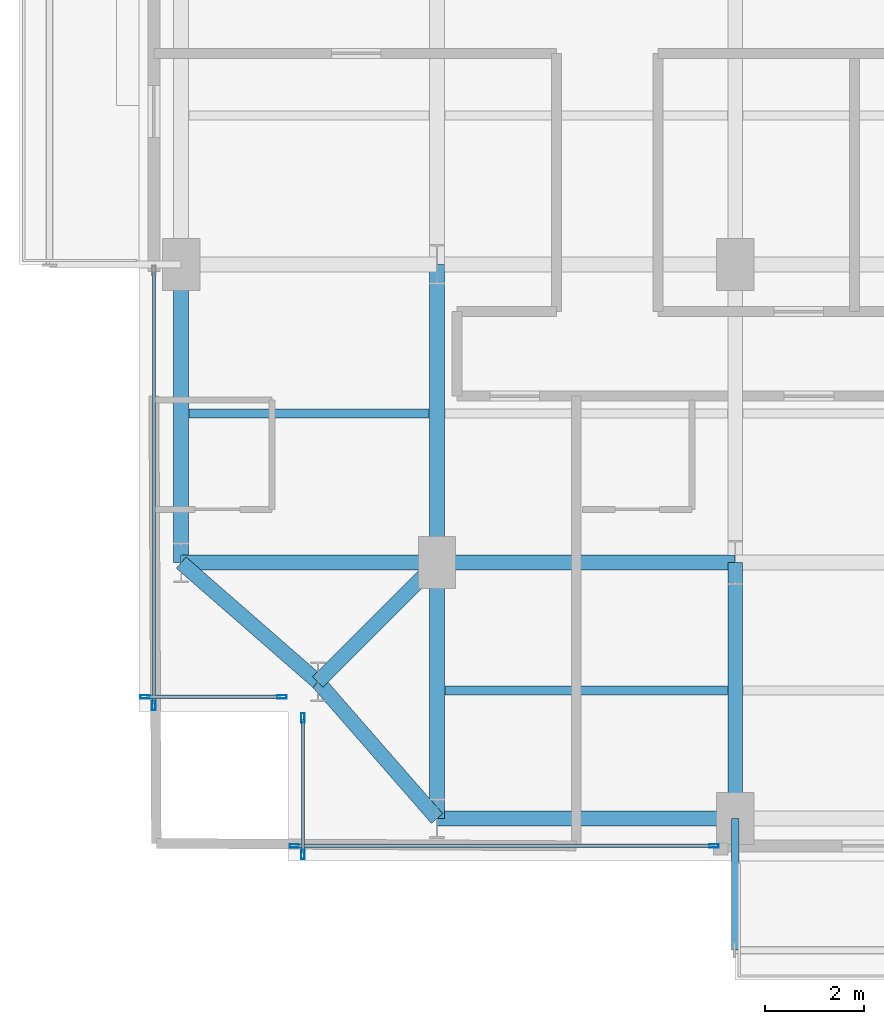
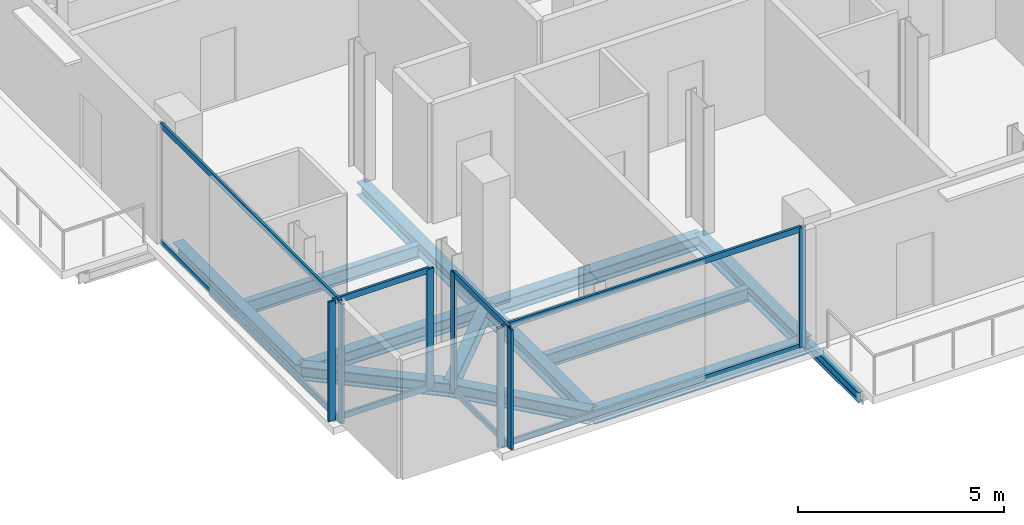
# One storey, part 2 of 22: 15 members, 13 beams, 4 elements without a shape of their own.
"""IFC4 building model written with IfcOpenShell, lengths in metres."""

import ifcopenshell
import ifcopenshell.guid

model = None  # the IFC model being written
_history = None  # IfcOwnerHistory: only IFC2X3 demands one
_inside = {}  # id of a spatial element -> (the spatial element, [elements in it])
_under = {}  # id of a project, library or spatial element -> (it, [spatial elements below it])
_declared = {}  # id of a project -> (the project, [libraries it declares])
_typed = {}  # id of a type object -> (the type object, [elements of that type])
_made_of = {}  # id of a material, layer set ... -> (it, [elements and type objects made of it])


def new_model(schema):
    """Start an empty IFC model of exactly this schema.

    Asked for "IFC4X3", IfcOpenShell would pick the latest addendum, in which some entities
    have other attributes; the version numbers below select the first issue.
    IFC2X3 requires an IfcOwnerHistory on every rooted entity: one is made here for all.
    """
    global model, _history
    if schema == "IFC4X3":
        model = ifcopenshell.file(schema_version=(4, 3, 0, 0))
    else:
        model = ifcopenshell.file(schema=schema)
    _inside.clear()
    _under.clear()
    _declared.clear()
    _typed.clear()
    _made_of.clear()
    _history = None
    if model.schema == "IFC2X3":
        org = make("IfcOrganization", Name="unknown")
        user = make(
            "IfcPersonAndOrganization",
            ThePerson=make("IfcPerson", FamilyName="unknown"),
            TheOrganization=org,
        )
        app = make(
            "IfcApplication",
            ApplicationDeveloper=org,
            Version="unknown",
            ApplicationFullName="unknown",
            ApplicationIdentifier="unknown",
        )
        _history = make(
            "IfcOwnerHistory",
            OwningUser=user,
            OwningApplication=app,
            ChangeAction="ADDED",
            CreationDate=0,
        )
    return model


def make(cls, **values):
    """One entity of the class cls with the attributes given. An attribute that is None is left unset."""
    return model.create_entity(
        cls, **{name: value for name, value in values.items() if value is not None}
    )


def rooted(cls, **values):
    """An entity with a GlobalId (a new one), such as an element, a storey or a relation."""
    return make(cls, GlobalId=ifcopenshell.guid.new(), OwnerHistory=_history, **values)


def si_unit(unit_type, name, prefix=None):
    """IfcSIUnit, for example si_unit("LENGTHUNIT", "METRE", prefix="MILLI")."""
    return make("IfcSIUnit", UnitType=unit_type, Prefix=prefix, Name=name)


def assignment(units):
    """IfcUnitAssignment: the units of a project."""
    return None if units is None else make("IfcUnitAssignment", Units=units)


def point(xyz):
    """IfcCartesianPoint."""
    return None if xyz is None else make("IfcCartesianPoint", Coordinates=xyz)


def direction(xyz):
    """IfcDirection."""
    return None if xyz is None else make("IfcDirection", DirectionRatios=xyz)


def frame(location, z_axis=None, x_axis=None):
    """IfcAxis2Placement3D, a coordinate frame: its origin and axes. An axis left out is left unset."""
    return make(
        "IfcAxis2Placement3D",
        Location=point(location),
        Axis=direction(z_axis),
        RefDirection=direction(x_axis),
    )


def frame_2d(location, x_axis=None):
    """IfcAxis2Placement2D, a coordinate frame in the plane: its origin and x axis."""
    return make(
        "IfcAxis2Placement2D", Location=point(location), RefDirection=direction(x_axis)
    )


def origin():
    """The frame at (0, 0, 0) with its axes left unset."""
    return frame((0.0, 0.0, 0.0))


def origin_2d():
    """The frame at (0, 0) in the plane with its x axis left unset."""
    return frame_2d((0.0, 0.0))


def place(relative_to, where):
    """IfcLocalPlacement: puts the frame where relative to a parent placement (None: the world)."""
    return make(
        "IfcLocalPlacement", PlacementRelTo=relative_to, RelativePlacement=where
    )


def context(
    kind, dimensions, precision=None, world=None, true_north=None, identifier=None
):
    """IfcGeometricRepresentationContext, for example the 3D "Model" context."""
    return make(
        "IfcGeometricRepresentationContext",
        ContextIdentifier=identifier,
        ContextType=kind,
        CoordinateSpaceDimension=dimensions,
        Precision=precision,
        WorldCoordinateSystem=world,
        TrueNorth=true_north,
    )


def subcontext(parent, identifier, kind, view, scale=None):
    """IfcGeometricRepresentationSubContext, for example "Body" below "Model"."""
    return make(
        "IfcGeometricRepresentationSubContext",
        ContextIdentifier=identifier,
        ContextType=kind,
        ParentContext=parent,
        TargetScale=scale,
        TargetView=view,
    )


def project(units=None, contexts=None):
    """IfcProject with its units and contexts."""
    return rooted(
        "IfcProject",
        Name="project",
        RepresentationContexts=contexts,
        UnitsInContext=assignment(units),
    )


def spatial(cls, under=None, at=None, **own):
    """A site, building, storey or space (cls), placed at a placement, below another one or the project."""
    s = rooted(cls, ObjectPlacement=at, **own)
    if under is not None:
        _under.setdefault(under.id(), (under, []))[1].append(s)
    return s


def profile(cls, at=None, kind="AREA", **sizes):
    """A parametric profile (cls). Its sizes go by their IFC names, for example OverallWidth=200.0."""
    return make(cls, ProfileType=kind, Position=at, **sizes)


def hollow_rectangle(**sizes):
    """IfcRectangleHollowProfileDef."""
    return profile("IfcRectangleHollowProfileDef", **sizes)


def i_section(**sizes):
    """IfcIShapeProfileDef."""
    return profile("IfcIShapeProfileDef", **sizes)


def extrude(swept, where, along, depth):
    """IfcExtrudedAreaSolid: the profile swept, set in the frame where, extruded along a direction by depth."""
    return make(
        "IfcExtrudedAreaSolid",
        SweptArea=swept,
        Position=where,
        ExtrudedDirection=direction(along),
        Depth=depth,
    )


def shape(context_of_items, identifier, shape_type, items):
    """IfcShapeRepresentation: the items that make up one representation, for example the "Body"."""
    return make(
        "IfcShapeRepresentation",
        ContextOfItems=context_of_items,
        RepresentationIdentifier=identifier,
        RepresentationType=shape_type,
        Items=items,
    )


def material(Name=None, Category=None):
    """IfcMaterial."""
    return make("IfcMaterial", Name=Name, Category=Category)


def layer(
    of_material, thickness, ventilated=None, Name=None, Category=None, Priority=None
):
    """IfcMaterialLayer: one layer of a wall or slab, of a material (None: an air gap)."""
    return make(
        "IfcMaterialLayer",
        Material=of_material,
        LayerThickness=thickness,
        IsVentilated=ventilated,
        Name=Name,
        Category=Category,
        Priority=Priority,
    )


def layer_set(layers, Name=None):
    """IfcMaterialLayerSet."""
    return make("IfcMaterialLayerSet", MaterialLayers=layers, LayerSetName=Name)


def material_profile(
    of_material, cross_section, Name=None, Category=None, Priority=None
):
    """IfcMaterialProfile: a cross section and its material."""
    return make(
        "IfcMaterialProfile",
        Name=Name,
        Material=of_material,
        Profile=cross_section,
        Priority=Priority,
        Category=Category,
    )


def profile_set(profiles, Name=None, composite=None):
    """IfcMaterialProfileSet."""
    return make(
        "IfcMaterialProfileSet",
        Name=Name,
        MaterialProfiles=profiles,
        CompositeProfile=composite,
    )


def made_of(thing, what):
    """Note that an element or type object is made of a material, layer set ...; save() writes the relation."""
    if what is not None:
        _made_of.setdefault(what.id(), (what, []))[1].append(thing)
    return thing


def type_object(cls, material=None, **own):
    """A type object (cls), such as IfcWallType, which elements share."""
    return made_of(rooted(cls, **own), material)


def element(
    cls,
    number,
    at=None,
    inside=None,
    cuts=None,
    type_object=None,
    material=None,
    context=None,
    identifier="Body",
    shape_type=None,
    held_by="IfcProductDefinitionShape",
    body=None,
    shapes=None,
    **own,
):
    """One element of the class cls, such as IfcWall. Its Tag is "e" and its number.

    at: its placement. inside: the storey or other place that contains it. cuts: it is an
    opening in that element (IfcRelVoidsElement). A single representation is given by context,
    identifier, shape_type and body (its items); several are given by shapes. held_by: the class
    of the entity that holds the representations. save() writes the other relations.
    """
    e = rooted(cls, Tag="e%d" % number, ObjectPlacement=at, **own)
    if body is not None:
        shapes = [shape(context, identifier, shape_type, body)]
    if shapes is not None:
        e.Representation = make(held_by, Representations=shapes)
    if inside is not None:
        _inside.setdefault(inside.id(), (inside, []))[1].append(e)
    if cuts is not None:
        rooted(
            "IfcRelVoidsElement", RelatingBuildingElement=cuts, RelatedOpeningElement=e
        )
    if type_object is not None:
        _typed.setdefault(type_object.id(), (type_object, []))[1].append(e)
    return made_of(e, material)


def aggregate(whole, parts):
    """IfcRelAggregates: a whole, such as a stair, and the parts it consists of."""
    return rooted("IfcRelAggregates", RelatingObject=whole, RelatedObjects=parts)


def save(model, path):
    """Write the relations noted so far, then the file.

    IfcRelAggregates (storeys below a building ...), IfcRelContainedInSpatialStructure (elements
    in a storey), IfcRelDefinesByType, IfcRelAssociatesMaterial and IfcRelDeclares: one each for
    every whole, place, type object, material and project.
    """
    for whole, parts in _under.values():
        aggregate(whole, parts)
    for where, things in _inside.values():
        rooted(
            "IfcRelContainedInSpatialStructure",
            RelatedElements=things,
            RelatingStructure=where,
        )
    for kind, things in _typed.values():
        rooted("IfcRelDefinesByType", RelatedObjects=things, RelatingType=kind)
    for what, things in _made_of.values():
        rooted("IfcRelAssociatesMaterial", RelatedObjects=things, RelatingMaterial=what)
    for by, libraries in _declared.values():
        rooted("IfcRelDeclares", RelatingContext=by, RelatedDefinitions=libraries)
    model.write(path)


model = new_model("IFC4")

# Units and contexts
model_context = context("Model", 3, precision=1e-05, world=origin(), true_north=direction((0.0, 1.0)))
body_context = subcontext(model_context, "Body", "Model", "MODEL_VIEW")
ifc_project = project(units=[si_unit("LENGTHUNIT", "METRE"), si_unit("AREAUNIT", "SQUARE_METRE"), si_unit("VOLUMEUNIT", "CUBIC_METRE"), si_unit("PLANEANGLEUNIT", "RADIAN"), si_unit("MASSUNIT", "GRAM", prefix="KILO"), si_unit("THERMODYNAMICTEMPERATUREUNIT", "KELVIN"), si_unit("POWERUNIT", "WATT")], contexts=[model_context])

# Site, building, storey
site_placement = place(None, origin())
site = spatial("IfcSite", under=ifc_project, at=site_placement, CompositionType="ELEMENT")
building_placement = place(site_placement, origin())
building = spatial("IfcBuilding", under=site, at=building_placement, Name="Svarakhadi Broadcast Tower", CompositionType="ELEMENT")
storey_placement = place(building_placement, frame((0.0, 0.0, 176.699951171875)))
storey = spatial("IfcBuildingStorey", under=building, at=storey_placement, Name="L43", CompositionType="ELEMENT", Elevation=176.699951171875)

# Beams
ifc_material_1 = material(Name="Steel S355J2 (IS 2062 E350C)", Category="steel")
ifc_material_profile_1 = material_profile(ifc_material_1, i_section(OverallWidth=0.179931640625, OverallDepth=0.39990234375, WebThickness=0.008544921875, FlangeThickness=0.013427734375, FilletRadius=0.02099609375, at=origin_2d()), Name="NPB 400x180x66")
ifc_profile_set_1 = profile_set([ifc_material_profile_1], Name="Steel S355J2 (IS 2062 E350C)")
beam_type_1 = type_object("IfcBeamType", Name="Beam_NPB400", PredefinedType="BEAM", material=ifc_profile_set_1)
beam_1_placement = place(storey_placement, frame((1.010009765625, 9.0, -0.409912109375), z_axis=(1.0, 0.0, 0.0), x_axis=(0.0, 1.0, 0.0)))
element("IfcBeam", 1, at=beam_1_placement, inside=storey, type_object=beam_type_1, Name="L43 Secondary Composite Beam SB001", PredefinedType="BEAM", context=body_context, shape_type="SweptSolid", body=[
    extrude(i_section(OverallWidth=0.179931640625, OverallDepth=0.39990234375, WebThickness=0.008544921875, FlangeThickness=0.013427734375, FilletRadius=0.02099609375, at=origin_2d()), origin(), (0.0, 0.0, 1.0), 4.830078125),
])
beam_2_placement = place(storey_placement, frame((6.159912109375, 3.425048828125, -0.409912109375), z_axis=(1.0, 0.0, 0.0), x_axis=(0.0, 1.0, 0.0)))
element("IfcBeam", 2, at=beam_2_placement, inside=storey, type_object=beam_type_1, Name="L43 Secondary Composite Beam SB005", PredefinedType="BEAM", context=body_context, shape_type="SweptSolid", body=[
    extrude(i_section(OverallWidth=0.179931640625, OverallDepth=0.39990234375, WebThickness=0.008544921875, FlangeThickness=0.013427734375, FilletRadius=0.02099609375, at=origin_2d()), origin(), (0.0, 0.0, 1.0), 5.68017578125),
])

# Curtain wall, members
ifc_material_2 = material(Name="Anodised Bronze Aluminium AA 6063-T6", Category="aluminium")
ifc_layer = layer(ifc_material_2, 0.18994140625)
ifc_layer_set = layer_set([ifc_layer], Name="Anodised Bronze Aluminium AA 6063-T6")
curtain_wall_type = type_object("IfcCurtainWallType", Name="CW_Sys_04", PredefinedType="NOTDEFINED", material=ifc_layer_set)
curtain_wall_1_placement = place(storey_placement, origin())
curtain_wall_1 = element("IfcCurtainWall", 3, at=curtain_wall_1_placement, inside=storey, type_object=curtain_wall_type, Name="L43 Unitised Facade Curtain Wall 01", PredefinedType="NOTDEFINED")
ifc_material_profile_2 = material_profile(ifc_material_2, hollow_rectangle(XDim=0.070068359375, YDim=0.18994140625, WallThickness=0.005615234375, at=origin_2d()), Name="ALU MULLION 190x70x6")
ifc_profile_set_2 = profile_set([ifc_material_profile_2], Name="Anodised Bronze Aluminium AA 6063-T6")
member_type_1 = type_object("IfcMemberType", Name="CW_Sys_04_Mul", PredefinedType="MULLION", material=ifc_profile_set_2)
member_1_placement = place(storey_placement, frame((2.875, 3.300048828125, 0.0), z_axis=(0.0, 0.0, 1.0), x_axis=(0.0, -1.0, 0.0)))
member_1 = element("IfcMember", 4, at=member_1_placement, type_object=member_type_1, Name="CW-04 mullion 1", PredefinedType="MULLION", context=body_context, shape_type="SweptSolid", body=[
    extrude(hollow_rectangle(XDim=0.070068359375, YDim=0.18994140625, WallThickness=0.005615234375, at=origin_2d()), origin(), (0.0, 0.0, 1.0), 3.5400390625),
])
member_2_placement = place(storey_placement, frame((0.125, 3.300048828125, 0.0), z_axis=(0.0, 0.0, 1.0), x_axis=(0.0, -1.0, 0.0)))
member_2 = element("IfcMember", 5, at=member_2_placement, type_object=member_type_1, Name="CW-04 mullion 2", PredefinedType="MULLION", context=body_context, shape_type="SweptSolid", body=[
    extrude(hollow_rectangle(XDim=0.070068359375, YDim=0.18994140625, WallThickness=0.005615234375, at=origin_2d()), origin(), (0.0, 0.0, 1.0), 3.5400390625),
])

# Curtain wall, member
curtain_wall_2_placement = place(storey_placement, origin())
curtain_wall_2 = element("IfcCurtainWall", 6, at=curtain_wall_2_placement, inside=storey, type_object=curtain_wall_type, Name="L43 West Curtain Wall 02", PredefinedType="NOTDEFINED")
member_3_placement = place(storey_placement, frame((0.300048828125, 3.125, 0.0), z_axis=(0.0, 0.0, 1.0), x_axis=(-1.0, 0.0, 0.0)))
member_3 = element("IfcMember", 7, at=member_3_placement, type_object=member_type_1, Name="CW-04 mullion 1", PredefinedType="MULLION", context=body_context, shape_type="SweptSolid", body=[
    extrude(hollow_rectangle(XDim=0.070068359375, YDim=0.18994140625, WallThickness=0.005615234375, at=origin_2d()), origin(), (0.0, 0.0, 1.0), 3.5400390625),
])

# Curtain wall, members
curtain_wall_3_placement = place(storey_placement, origin())
curtain_wall_3 = element("IfcCurtainWall", 8, at=curtain_wall_3_placement, inside=storey, type_object=curtain_wall_type, Name="L43 South Curtain Wall 17", PredefinedType="NOTDEFINED")
member_4_placement = place(storey_placement, frame((11.570068359375, 0.300048828125, 0.0), z_axis=(0.0, 0.0, 1.0), x_axis=(0.0, -1.0, 0.0)))
member_4 = element("IfcMember", 9, at=member_4_placement, type_object=member_type_1, Name="CW-04 mullion 1", PredefinedType="MULLION", context=body_context, shape_type="SweptSolid", body=[
    extrude(hollow_rectangle(XDim=0.070068359375, YDim=0.18994140625, WallThickness=0.005615234375, at=origin_2d()), origin(), (0.0, 0.0, 1.0), 3.5400390625),
])
member_5_placement = place(storey_placement, frame((3.125, 0.300048828125, 0.0), z_axis=(0.0, 0.0, 1.0), x_axis=(0.0, -1.0, 0.0)))
member_5 = element("IfcMember", 10, at=member_5_placement, type_object=member_type_1, Name="CW-04 mullion 2", PredefinedType="MULLION", context=body_context, shape_type="SweptSolid", body=[
    extrude(hollow_rectangle(XDim=0.070068359375, YDim=0.18994140625, WallThickness=0.005615234375, at=origin_2d()), origin(), (0.0, 0.0, 1.0), 3.5400390625),
])

curtain_wall_4_placement = place(storey_placement, origin())
curtain_wall_4 = element("IfcCurtainWall", 11, at=curtain_wall_4_placement, inside=storey, type_object=curtain_wall_type, Name="L43 Unitised Facade Curtain Wall 18", PredefinedType="NOTDEFINED")
member_6_placement = place(storey_placement, frame((3.300048828125, 0.125, 0.0), z_axis=(0.0, 0.0, 1.0), x_axis=(-1.0, 0.0, 0.0)))
member_6 = element("IfcMember", 12, at=member_6_placement, type_object=member_type_1, Name="CW-04 mullion 1", PredefinedType="MULLION", context=body_context, shape_type="SweptSolid", body=[
    extrude(hollow_rectangle(XDim=0.070068359375, YDim=0.18994140625, WallThickness=0.005615234375, at=origin_2d()), origin(), (0.0, 0.0, 1.0), 3.5400390625),
])
member_7_placement = place(storey_placement, frame((3.300048828125, 2.875, 0.0), z_axis=(0.0, 0.0, 1.0), x_axis=(-1.0, 0.0, 0.0)))
member_7 = element("IfcMember", 13, at=member_7_placement, type_object=member_type_1, Name="CW-04 mullion 2", PredefinedType="MULLION", context=body_context, shape_type="SweptSolid", body=[
    extrude(hollow_rectangle(XDim=0.070068359375, YDim=0.18994140625, WallThickness=0.005615234375, at=origin_2d()), origin(), (0.0, 0.0, 1.0), 3.5400390625),
])

# Member
ifc_material_profile_3 = material_profile(ifc_material_2, hollow_rectangle(XDim=0.06494140625, YDim=0.175048828125, WallThickness=0.0048828125, at=origin_2d()), Name="ALU TRANSOM 175x65x5")
ifc_profile_set_3 = profile_set([ifc_material_profile_3], Name="Anodised Bronze Aluminium AA 6063-T6")
member_type_2 = type_object("IfcMemberType", Name="CW_Sys_04_Trn", PredefinedType="USERDEFINED", material=ifc_profile_set_3)
member_8_placement = place(storey_placement, frame((2.840087890625, 3.300048828125, 0.032470703125), z_axis=(-1.0, 0.0, 0.0), x_axis=(0.0, -1.0, 0.0)))
member_8 = element("IfcMember", 14, at=member_8_placement, type_object=member_type_2, Name="CW-04 transom 1.1", ObjectType="TRANSOM", PredefinedType="USERDEFINED", context=body_context, shape_type="SweptSolid", body=[
    extrude(hollow_rectangle(XDim=0.06494140625, YDim=0.175048828125, WallThickness=0.0048828125, at=origin_2d()), origin(), (0.0, 0.0, 1.0), 2.68017578125),
])

member_9_placement = place(storey_placement, frame((2.840087890625, 3.300048828125, 3.507568359375), z_axis=(-1.0, 0.0, 0.0), x_axis=(0.0, -1.0, 0.0)))
member_9 = element("IfcMember", 15, at=member_9_placement, type_object=member_type_2, Name="CW-04 transom 1.2", ObjectType="TRANSOM", PredefinedType="USERDEFINED", context=body_context, shape_type="SweptSolid", body=[
    extrude(hollow_rectangle(XDim=0.06494140625, YDim=0.175048828125, WallThickness=0.0048828125, at=origin_2d()), origin(), (0.0, 0.0, 1.0), 2.68017578125),
])

aggregate(curtain_wall_1, [member_1, member_2, member_8, member_9])

member_10_placement = place(storey_placement, frame((0.300048828125, 3.159912109375, 0.032470703125), z_axis=(0.0, 1.0, 0.0), x_axis=(-1.0, 0.0, 0.0)))
member_10 = element("IfcMember", 16, at=member_10_placement, type_object=member_type_2, Name="CW-04 transom 1.1", ObjectType="TRANSOM", PredefinedType="USERDEFINED", context=body_context, shape_type="SweptSolid", body=[
    extrude(hollow_rectangle(XDim=0.06494140625, YDim=0.175048828125, WallThickness=0.0048828125, at=origin_2d()), origin(), (0.0, 0.0, 1.0), 8.68017578125),
])

member_11_placement = place(storey_placement, frame((0.300048828125, 3.159912109375, 3.507568359375), z_axis=(0.0, 1.0, 0.0), x_axis=(-1.0, 0.0, 0.0)))
member_11 = element("IfcMember", 17, at=member_11_placement, type_object=member_type_2, Name="CW-04 transom 1.2", ObjectType="TRANSOM", PredefinedType="USERDEFINED", context=body_context, shape_type="SweptSolid", body=[
    extrude(hollow_rectangle(XDim=0.06494140625, YDim=0.175048828125, WallThickness=0.0048828125, at=origin_2d()), origin(), (0.0, 0.0, 1.0), 8.68017578125),
])

aggregate(curtain_wall_2, [member_3, member_10, member_11])

member_12_placement = place(storey_placement, frame((11.534912109375, 0.300048828125, 0.032470703125), z_axis=(-1.0, 0.0, 0.0), x_axis=(0.0, -1.0, 0.0)))
member_12 = element("IfcMember", 18, at=member_12_placement, type_object=member_type_2, Name="CW-04 transom 1.1", ObjectType="TRANSOM", PredefinedType="USERDEFINED", context=body_context, shape_type="SweptSolid", body=[
    extrude(hollow_rectangle(XDim=0.06494140625, YDim=0.175048828125, WallThickness=0.0048828125, at=origin_2d()), origin(), (0.0, 0.0, 1.0), 8.375),
])

member_13_placement = place(storey_placement, frame((11.534912109375, 0.300048828125, 3.507568359375), z_axis=(-1.0, 0.0, 0.0), x_axis=(0.0, -1.0, 0.0)))
member_13 = element("IfcMember", 19, at=member_13_placement, type_object=member_type_2, Name="CW-04 transom 1.2", ObjectType="TRANSOM", PredefinedType="USERDEFINED", context=body_context, shape_type="SweptSolid", body=[
    extrude(hollow_rectangle(XDim=0.06494140625, YDim=0.175048828125, WallThickness=0.0048828125, at=origin_2d()), origin(), (0.0, 0.0, 1.0), 8.375),
])

aggregate(curtain_wall_3, [member_4, member_5, member_12, member_13])

member_14_placement = place(storey_placement, frame((3.300048828125, 0.159912109375, 0.032470703125), z_axis=(0.0, 1.0, 0.0), x_axis=(-1.0, 0.0, 0.0)))
member_14 = element("IfcMember", 20, at=member_14_placement, type_object=member_type_2, Name="CW-04 transom 1.1", ObjectType="TRANSOM", PredefinedType="USERDEFINED", context=body_context, shape_type="SweptSolid", body=[
    extrude(hollow_rectangle(XDim=0.06494140625, YDim=0.175048828125, WallThickness=0.0048828125, at=origin_2d()), origin(), (0.0, 0.0, 1.0), 2.68017578125),
])

member_15_placement = place(storey_placement, frame((3.300048828125, 0.159912109375, 3.507568359375), z_axis=(0.0, 1.0, 0.0), x_axis=(-1.0, 0.0, 0.0)))
member_15 = element("IfcMember", 21, at=member_15_placement, type_object=member_type_2, Name="CW-04 transom 1.2", ObjectType="TRANSOM", PredefinedType="USERDEFINED", context=body_context, shape_type="SweptSolid", body=[
    extrude(hollow_rectangle(XDim=0.06494140625, YDim=0.175048828125, WallThickness=0.0048828125, at=origin_2d()), origin(), (0.0, 0.0, 1.0), 2.68017578125),
])

aggregate(curtain_wall_4, [member_6, member_7, member_14, member_15])

# Beams
ifc_material_profile_4 = material_profile(ifc_material_1, i_section(OverallWidth=0.300048828125, OverallDepth=0.39990234375, WebThickness=0.013427734375, FlangeThickness=0.02392578125, FilletRadius=0.027099609375, at=origin_2d()), Name="WPB 400x300x155")
ifc_profile_set_4 = profile_set([ifc_material_profile_4], Name="Steel S355J2 (IS 2062 E350C)")
beam_type_2 = type_object("IfcBeamType", Name="Girder_WPB400", PredefinedType="USERDEFINED", material=ifc_profile_set_4)
beam_3_placement = place(storey_placement, frame((3.60009765625, 3.60009765625, -0.409912109375), z_axis=(0.707106781187, 0.707106781187, 0.0), x_axis=(-0.707106781187, 0.707106781187, 0.0)))
element("IfcBeam", 22, at=beam_3_placement, inside=storey, type_object=beam_type_2, Name="L43 Corner Tie Girder G001", ObjectType="GIRDER", PredefinedType="USERDEFINED", context=body_context, shape_type="SweptSolid", body=[
    extrude(i_section(OverallWidth=0.300048828125, OverallDepth=0.39990234375, WebThickness=0.013427734375, FlangeThickness=0.02392578125, FilletRadius=0.027099609375, at=origin_2d()), origin(), (0.0, 0.0, 1.0), 3.39404296875),
])
for number, where, z_axis, x_axis, name in (
    (23, (3.60009765625, 3.60009765625, -0.409912109375), (-0.753437912176, 0.657519058655, 0.0), (-0.657519058655, -0.753437912176, 0.0), "L43 Corner Tie Girder G002"),
    (24, (3.60009765625, 3.60009765625, -0.409912109375), (0.657519058655, -0.753437912176, 0.0), (0.753437912176, 0.657519058655, 0.0), "L43 Corner Tie Girder G003"),
):
    element("IfcBeam", number, at=place(storey_placement, frame(where, z_axis=z_axis, x_axis=x_axis)), inside=storey, type_object=beam_type_2, Name=name, ObjectType="GIRDER", PredefinedType="USERDEFINED", context=body_context, shape_type="SweptSolid", body=[
        extrude(i_section(OverallWidth=0.300048828125, OverallDepth=0.39990234375, WebThickness=0.013427734375, FlangeThickness=0.02392578125, FilletRadius=0.027099609375, at=origin_2d()), origin(), (0.0, 0.0, 1.0), 3.64990234375),
    ])
beam_4_placement = place(storey_placement, frame((6.0, 0.85009765625, -0.409912109375), z_axis=(1.0, 0.0, 0.0), x_axis=(0.0, 1.0, 0.0)))
element("IfcBeam", 25, at=beam_4_placement, inside=storey, type_object=beam_type_2, Name="L43 Primary E-W Girder G004", ObjectType="GIRDER", PredefinedType="USERDEFINED", context=body_context, shape_type="SweptSolid", body=[
    extrude(i_section(OverallWidth=0.300048828125, OverallDepth=0.39990234375, WebThickness=0.013427734375, FlangeThickness=0.02392578125, FilletRadius=0.027099609375, at=origin_2d()), origin(), (0.0, 0.0, 1.0), 6.0),
])
beam_5_placement = place(storey_placement, frame((0.85009765625, 6.0, -0.409912109375), z_axis=(1.0, 0.0, 0.0), x_axis=(0.0, 1.0, 0.0)))
element("IfcBeam", 26, at=beam_5_placement, inside=storey, type_object=beam_type_2, Name="L43 Primary E-W Girder G009", ObjectType="GIRDER", PredefinedType="USERDEFINED", context=body_context, shape_type="SweptSolid", body=[
    extrude(i_section(OverallWidth=0.300048828125, OverallDepth=0.39990234375, WebThickness=0.013427734375, FlangeThickness=0.02392578125, FilletRadius=0.027099609375, at=origin_2d()), origin(), (0.0, 0.0, 1.0), 5.14990234375),
])
for number, where, z_axis, x_axis, name in (
    (27, (6.0, 6.0, -0.409912109375), (1.0, 0.0, 0.0), (0.0, 1.0, 0.0), "L43 Primary E-W Girder G010"),
    (28, (0.85009765625, 6.0, -0.409912109375), (0.0, 1.0, 0.0), (-1.0, 0.0, 0.0), "L43 Primary N-S Girder G033"),
):
    element("IfcBeam", number, at=place(storey_placement, frame(where, z_axis=z_axis, x_axis=x_axis)), inside=storey, type_object=beam_type_2, Name=name, ObjectType="GIRDER", PredefinedType="USERDEFINED", context=body_context, shape_type="SweptSolid", body=[
        extrude(i_section(OverallWidth=0.300048828125, OverallDepth=0.39990234375, WebThickness=0.013427734375, FlangeThickness=0.02392578125, FilletRadius=0.027099609375, at=origin_2d()), origin(), (0.0, 0.0, 1.0), 6.0),
    ])
beam_6_placement = place(storey_placement, frame((6.0, 0.85009765625, -0.409912109375), z_axis=(0.0, 1.0, 0.0), x_axis=(-1.0, 0.0, 0.0)))
element("IfcBeam", 29, at=beam_6_placement, inside=storey, type_object=beam_type_2, Name="L43 Primary N-S Girder G037", ObjectType="GIRDER", PredefinedType="USERDEFINED", context=body_context, shape_type="SweptSolid", body=[
    extrude(i_section(OverallWidth=0.300048828125, OverallDepth=0.39990234375, WebThickness=0.013427734375, FlangeThickness=0.02392578125, FilletRadius=0.027099609375, at=origin_2d()), origin(), (0.0, 0.0, 1.0), 5.14990234375),
])
beam_7_placement = place(storey_placement, frame((6.0, 6.0, -0.409912109375), z_axis=(0.0, 1.0, 0.0), x_axis=(-1.0, 0.0, 0.0)))
element("IfcBeam", 30, at=beam_7_placement, inside=storey, type_object=beam_type_2, Name="L43 Primary N-S Girder G038", ObjectType="GIRDER", PredefinedType="USERDEFINED", context=body_context, shape_type="SweptSolid", body=[
    extrude(i_section(OverallWidth=0.300048828125, OverallDepth=0.39990234375, WebThickness=0.013427734375, FlangeThickness=0.02392578125, FilletRadius=0.027099609375, at=origin_2d()), origin(), (0.0, 0.0, 1.0), 6.0),
])
beam_8_placement = place(storey_placement, frame((12.0, 0.85009765625, -0.409912109375), z_axis=(0.0, 1.0, 0.0), x_axis=(-1.0, 0.0, 0.0)))
element("IfcBeam", 31, at=beam_8_placement, inside=storey, type_object=beam_type_2, Name="L43 Primary N-S Girder G042", ObjectType="GIRDER", PredefinedType="USERDEFINED", context=body_context, shape_type="SweptSolid", body=[
    extrude(i_section(OverallWidth=0.300048828125, OverallDepth=0.39990234375, WebThickness=0.013427734375, FlangeThickness=0.02392578125, FilletRadius=0.027099609375, at=origin_2d()), origin(), (0.0, 0.0, 1.0), 5.14990234375),
])
ifc_material_profile_5 = material_profile(ifc_material_1, i_section(OverallWidth=0.14990234375, OverallDepth=0.300048828125, WebThickness=0.007080078125, FlangeThickness=0.0107421875, FilletRadius=0.014892578125, at=origin_2d()), Name="NPB 300x150x37")
ifc_profile_set_5 = profile_set([ifc_material_profile_5], Name="Steel S355J2 (IS 2062 E350C)")
beam_type_3 = type_object("IfcBeamType", Name="Spandrel_NPB300", PredefinedType="SPANDREL", material=ifc_profile_set_5)
beam_9_placement = place(storey_placement, frame((12.0, 0.85009765625, -0.375), z_axis=(0.0, -1.0, 0.0), x_axis=(1.0, 0.0, 0.0)))
element("IfcBeam", 32, at=beam_9_placement, inside=storey, type_object=beam_type_3, Name="L43 Balcony Cantilever Bracket 1A", PredefinedType="SPANDREL", context=body_context, shape_type="SweptSolid", body=[
    extrude(i_section(OverallWidth=0.14990234375, OverallDepth=0.300048828125, WebThickness=0.007080078125, FlangeThickness=0.0107421875, FilletRadius=0.014892578125, at=origin_2d()), origin(), (0.0, 0.0, 1.0), 2.650146484375),
])

save(model, "model.ifc")
